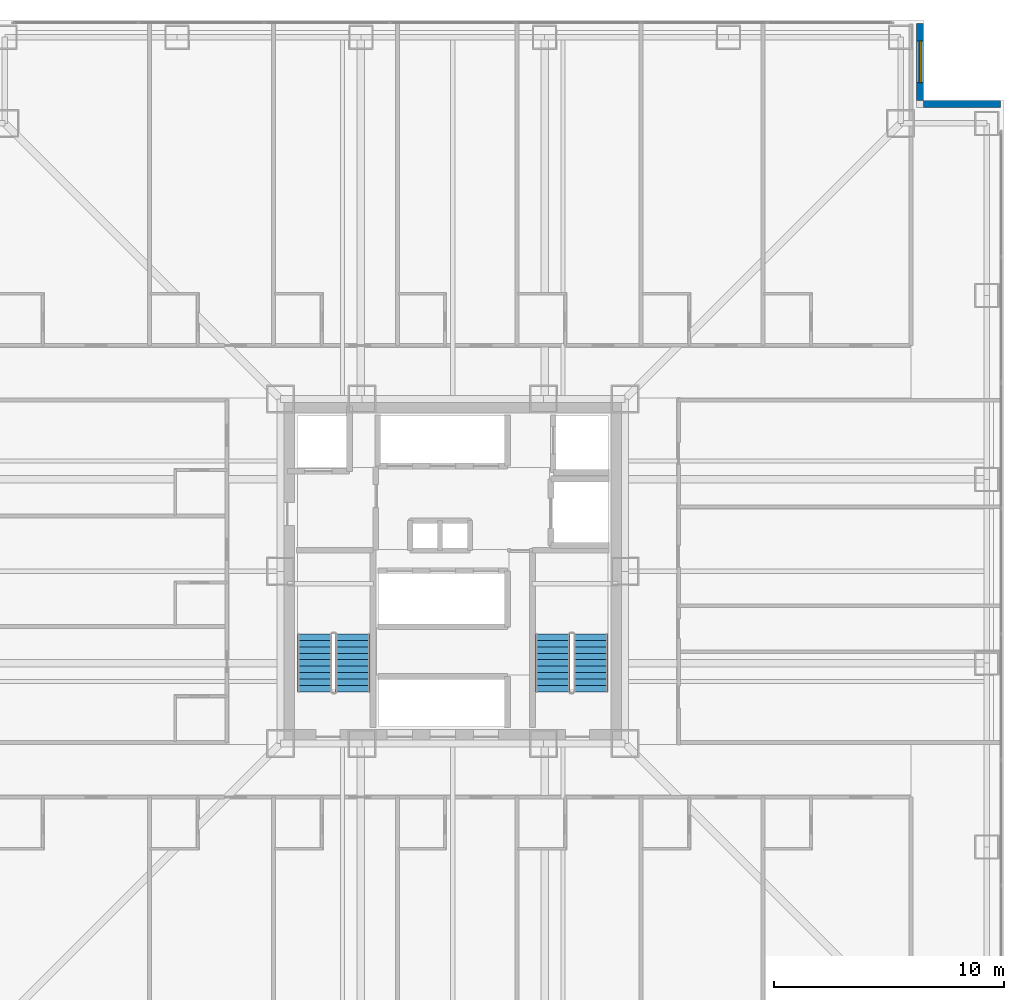
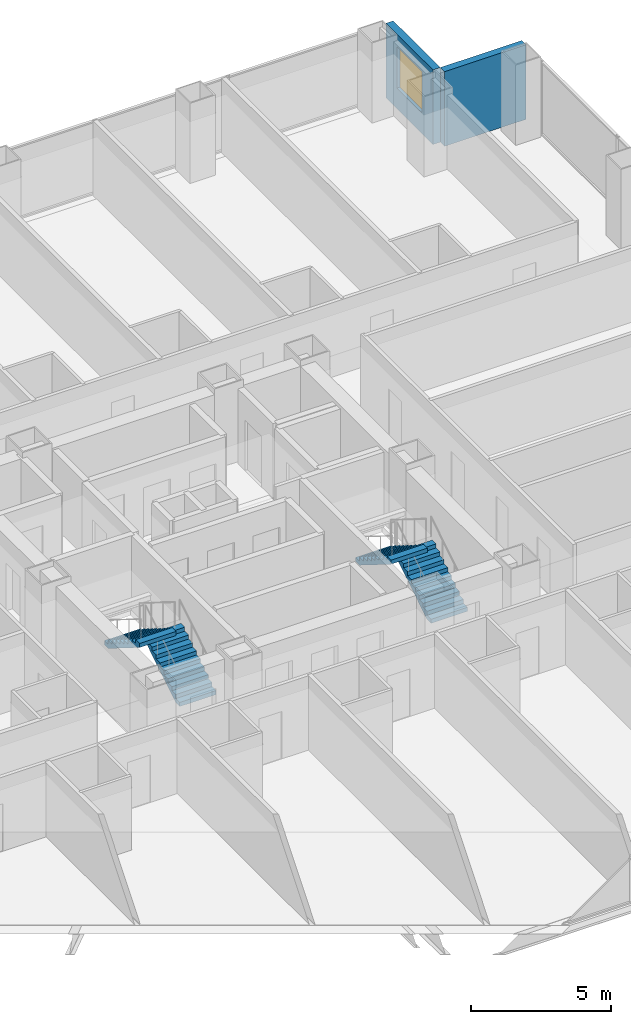
# One storey, part 14 of 17: 4 stair flights, 2 walls, 1 window, 1 opening, 2 elements without a shape of their own.
"""IFC4 building model written with IfcOpenShell, lengths in metres."""

from ifc_helpers import new_model, si_unit, direction, frame, frame_2d, origin, place, context, subcontext, project, spatial, polyline, rectangle, outline, extrude, material, layer, layer_set, type_object, element, fill, aggregate, save


model = new_model("IFC4")

# Units and contexts
model_context = context("Model", 3, precision=1e-05, world=origin(), true_north=direction((0.0, 1.0)))
body_context = subcontext(model_context, "Body", "Model", "MODEL_VIEW")
ifc_project = project(units=[si_unit("LENGTHUNIT", "METRE"), si_unit("AREAUNIT", "SQUARE_METRE"), si_unit("VOLUMEUNIT", "CUBIC_METRE"), si_unit("PLANEANGLEUNIT", "RADIAN"), si_unit("MASSUNIT", "GRAM", prefix="KILO")], contexts=[model_context])

# Site, building, storey
site_placement = place(None, origin())
site = spatial("IfcSite", under=ifc_project, at=site_placement, CompositionType="ELEMENT")
building_placement = place(site_placement, origin())
building = spatial("IfcBuilding", under=site, at=building_placement, Name="Trevonay Congress Spire", CompositionType="ELEMENT")
storey_placement = place(building_placement, frame((0.0, 0.0, 30.5)))
storey = spatial("IfcBuildingStorey", under=building, at=storey_placement, Name="L06", CompositionType="ELEMENT", Elevation=30.5)

# Wall, opening, window
ifc_material_1 = material(Name="Precast concrete C40/50", Category="concrete")
ifc_layer = layer(ifc_material_1, 0.300048828125, Name="Precast concrete C40/50")
ifc_layer_set = layer_set([ifc_layer], Name="Precast concrete C40/50")
wall_type = type_object("IfcWallType", Name="WAL-EXT-PRECAST-300", PredefinedType="SOLIDWALL", material=ifc_layer_set)
wall_1_placement = place(storey_placement, frame((20.35009765625, 23.85009765625, 0.0), z_axis=(0.0, 0.0, 1.0), x_axis=(0.0, -1.0, 0.0)))
wall_1 = element("IfcWall", 1, at=wall_1_placement, inside=storey, type_object=wall_type, Name="L06 NE re-entrant notch exterior wall 1", PredefinedType="SOLIDWALL", context=body_context, shape_type="SweptSolid", body=[
    extrude(rectangle(XDim=3.35009765625, YDim=0.300048828125, at=frame_2d((1.675048828125, 0.0))), origin(), (0.0, 0.0, 1.0), 3.25),
])
opening_placement = place(wall_1_placement, frame((0.77490234375, 0.0, 0.89990234375)))
opening = element("IfcOpeningElement", 2, at=opening_placement, cuts=wall_1, Name="Opening WN01", PredefinedType="OPENING", context=body_context, shape_type="SweptSolid", body=[
    extrude(rectangle(XDim=1.800048828125, YDim=1.800048828125, at=frame_2d((0.89990234375, 0.89990234375))), frame((0.0, 0.16015625, 0.0), z_axis=(0.0, -1.0, 0.0), x_axis=(1.0, 0.0, 0.0)), (0.0, 0.0, 1.0), 0.320068359375),
])
ifc_material_2 = material(Name="Insulated Low-E Vision Glass IGU", Category="glass")
window_type = type_object("IfcWindowType", Name="WIN-HOTEL-180X180", PartitioningType="SINGLE_PANEL", PredefinedType="WINDOW", material=ifc_material_2)
window_placement = place(opening_placement, origin())
window = element("IfcWindow", 3, at=window_placement, inside=storey, type_object=window_type, Name="L06 NE corner notch window", OverallHeight=1.800048828125, OverallWidth=1.800048828125, PartitioningType="SINGLE_PANEL", PredefinedType="WINDOW", context=body_context, shape_type="SweptSolid", body=[
    extrude(rectangle(XDim=1.800048828125, YDim=1.800048828125, at=frame_2d((0.89990234375, 0.89990234375))), frame((0.0, 0.030029296875, 0.0), z_axis=(0.0, -1.0, 0.0), x_axis=(1.0, 0.0, 0.0)), (0.0, 0.0, 1.0), 0.06005859375),
])
fill(opening, window)

# Wall
wall_2_placement = place(storey_placement, frame((23.85009765625, 20.35009765625, 0.0), z_axis=(0.0, 0.0, 1.0), x_axis=(-1.0, 0.0, 0.0)))
element("IfcWall", 4, at=wall_2_placement, inside=storey, type_object=wall_type, Name="L06 NE re-entrant notch exterior wall 2", PredefinedType="SOLIDWALL", context=body_context, shape_type="SweptSolid", body=[
    extrude(rectangle(XDim=3.35009765625, YDim=0.300048828125, at=frame_2d((1.675048828125, 0.0))), origin(), (0.0, 0.0, 1.0), 3.25),
])

# Stair, stair flights
ifc_material_3 = material(Name="Concrete C40/50", Category="concrete")
stair_type_1 = type_object("IfcStairType", Name="STR-ST-1", PredefinedType="HALF_TURN_STAIR", material=ifc_material_3)
stair_1_placement = place(storey_placement, origin())
stair_1 = element("IfcStair", 5, at=stair_1_placement, inside=storey, type_object=stair_type_1, Name="L06 Protected Exit Stair ST-1", PredefinedType="HALF_TURN_STAIR")
stair_flight_type_1 = type_object("IfcStairFlightType", Name="SFL-ST-1", PredefinedType="STRAIGHT", material=ifc_material_3)
stair_flight_1_placement = place(storey_placement, frame((-4.35009765625, -5.25, 0.0), z_axis=(0.0, 0.0, 1.0), x_axis=(0.0, 1.0, 0.0)))
stair_flight_1 = element("IfcStairFlight", 6, at=stair_flight_1_placement, type_object=stair_flight_type_1, Name="ST-1 flight 1", NumberOfRisers=10, NumberOfTreads=9, PredefinedType="STRAIGHT", RiserHeight=0.175, TreadLength=0.28, context=body_context, shape_type="SweptSolid", body=[
    extrude(outline(polyline([(0.0, 0.0), (0.0, 0.175048828125), (0.280029296875, 0.175048828125), (0.280029296875, 0.35009765625), (0.56005859375, 0.35009765625), (0.56005859375, 0.52490234375), (0.840087890625, 0.52490234375), (0.840087890625, 0.699951171875), (1.1201171875, 0.699951171875), (1.1201171875, 0.875), (1.39990234375, 0.875), (1.39990234375, 1.050048828125), (1.679931640625, 1.050048828125), (1.679931640625, 1.22509765625), (1.9599609375, 1.22509765625), (1.9599609375, 1.39990234375), (2.239990234375, 1.39990234375), (2.239990234375, 1.574951171875), (2.52001953125, 1.574951171875), (2.52001953125, 1.75), (2.52001953125, 1.398193359375), (0.28271484375, 0.0), (0.0, 0.0)])), frame((0.0, 0.75, 0.0), z_axis=(0.0, -1.0, 0.0), x_axis=(1.0, 0.0, 0.0)), (0.0, 0.0, 1.0), 1.5),
])
stair_flight_2_placement = place(storey_placement, frame((-6.0, -2.72998046875, 1.75), z_axis=(0.0, 0.0, 1.0), x_axis=(0.0, -1.0, 0.0)))
stair_flight_2 = element("IfcStairFlight", 7, at=stair_flight_2_placement, type_object=stair_flight_type_1, Name="ST-1 flight 2", NumberOfRisers=10, NumberOfTreads=9, PredefinedType="STRAIGHT", RiserHeight=0.175, TreadLength=0.28, context=body_context, shape_type="SweptSolid", body=[
    extrude(outline(polyline([(0.0, 0.0), (0.0, 0.175048828125), (0.280029296875, 0.175048828125), (0.280029296875, 0.35009765625), (0.56005859375, 0.35009765625), (0.56005859375, 0.52490234375), (0.840087890625, 0.52490234375), (0.840087890625, 0.699951171875), (1.1201171875, 0.699951171875), (1.1201171875, 0.875), (1.39990234375, 0.875), (1.39990234375, 1.050048828125), (1.679931640625, 1.050048828125), (1.679931640625, 1.22509765625), (1.9599609375, 1.22509765625), (1.9599609375, 1.39990234375), (2.239990234375, 1.39990234375), (2.239990234375, 1.574951171875), (2.52001953125, 1.574951171875), (2.52001953125, 1.75), (2.52001953125, 1.398193359375), (0.28271484375, 0.0), (0.0, 0.0)])), frame((0.0, 0.75, 0.0), z_axis=(0.0, -1.0, 0.0), x_axis=(1.0, 0.0, 0.0)), (0.0, 0.0, 1.0), 1.5),
])
aggregate(stair_1, [stair_flight_1, stair_flight_2])

stair_type_2 = type_object("IfcStairType", Name="STR-ST-2", PredefinedType="HALF_TURN_STAIR", material=ifc_material_3)
stair_2_placement = place(storey_placement, origin())
stair_2 = element("IfcStair", 8, at=stair_2_placement, inside=storey, type_object=stair_type_2, Name="L06 Protected Exit Stair ST-2", PredefinedType="HALF_TURN_STAIR")
stair_flight_type_2 = type_object("IfcStairFlightType", Name="SFL-ST-2", PredefinedType="STRAIGHT", material=ifc_material_3)
stair_flight_3_placement = place(storey_placement, frame((6.0, -5.25, 0.0), z_axis=(0.0, 0.0, 1.0), x_axis=(0.0, 1.0, 0.0)))
stair_flight_3 = element("IfcStairFlight", 9, at=stair_flight_3_placement, type_object=stair_flight_type_2, Name="ST-2 flight 1", NumberOfRisers=10, NumberOfTreads=9, PredefinedType="STRAIGHT", RiserHeight=0.175, TreadLength=0.28, context=body_context, shape_type="SweptSolid", body=[
    extrude(outline(polyline([(0.0, 0.0), (0.0, 0.175048828125), (0.280029296875, 0.175048828125), (0.280029296875, 0.35009765625), (0.56005859375, 0.35009765625), (0.56005859375, 0.52490234375), (0.840087890625, 0.52490234375), (0.840087890625, 0.699951171875), (1.1201171875, 0.699951171875), (1.1201171875, 0.875), (1.39990234375, 0.875), (1.39990234375, 1.050048828125), (1.679931640625, 1.050048828125), (1.679931640625, 1.22509765625), (1.9599609375, 1.22509765625), (1.9599609375, 1.39990234375), (2.239990234375, 1.39990234375), (2.239990234375, 1.574951171875), (2.52001953125, 1.574951171875), (2.52001953125, 1.75), (2.52001953125, 1.398193359375), (0.28271484375, 0.0), (0.0, 0.0)])), frame((0.0, 0.75, 0.0), z_axis=(0.0, -1.0, 0.0), x_axis=(1.0, 0.0, 0.0)), (0.0, 0.0, 1.0), 1.5),
])
stair_flight_4_placement = place(storey_placement, frame((4.35009765625, -2.72998046875, 1.75), z_axis=(0.0, 0.0, 1.0), x_axis=(0.0, -1.0, 0.0)))
stair_flight_4 = element("IfcStairFlight", 10, at=stair_flight_4_placement, type_object=stair_flight_type_2, Name="ST-2 flight 2", NumberOfRisers=10, NumberOfTreads=9, PredefinedType="STRAIGHT", RiserHeight=0.175, TreadLength=0.28, context=body_context, shape_type="SweptSolid", body=[
    extrude(outline(polyline([(0.0, 0.0), (0.0, 0.175048828125), (0.280029296875, 0.175048828125), (0.280029296875, 0.35009765625), (0.56005859375, 0.35009765625), (0.56005859375, 0.52490234375), (0.840087890625, 0.52490234375), (0.840087890625, 0.699951171875), (1.1201171875, 0.699951171875), (1.1201171875, 0.875), (1.39990234375, 0.875), (1.39990234375, 1.050048828125), (1.679931640625, 1.050048828125), (1.679931640625, 1.22509765625), (1.9599609375, 1.22509765625), (1.9599609375, 1.39990234375), (2.239990234375, 1.39990234375), (2.239990234375, 1.574951171875), (2.52001953125, 1.574951171875), (2.52001953125, 1.75), (2.52001953125, 1.398193359375), (0.28271484375, 0.0), (0.0, 0.0)])), frame((0.0, 0.75, 0.0), z_axis=(0.0, -1.0, 0.0), x_axis=(1.0, 0.0, 0.0)), (0.0, 0.0, 1.0), 1.5),
])
aggregate(stair_2, [stair_flight_3, stair_flight_4])

save(model, "model.ifc")
